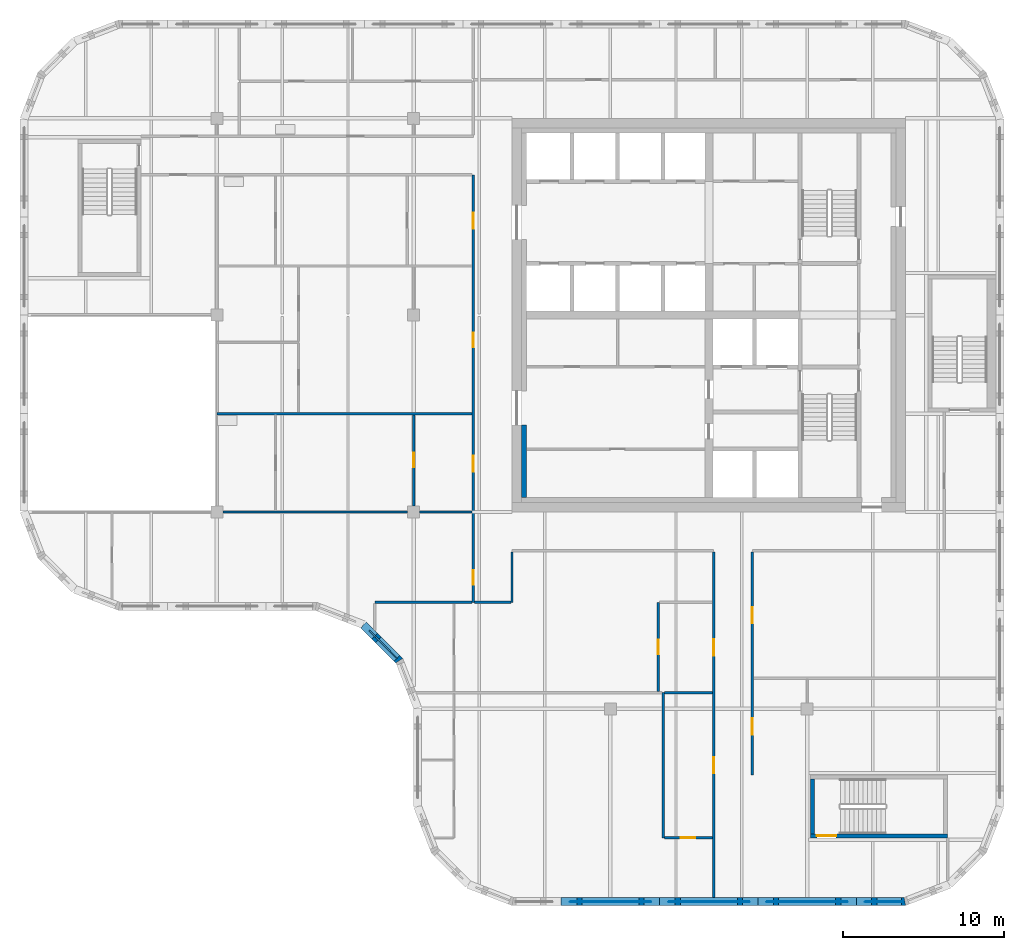
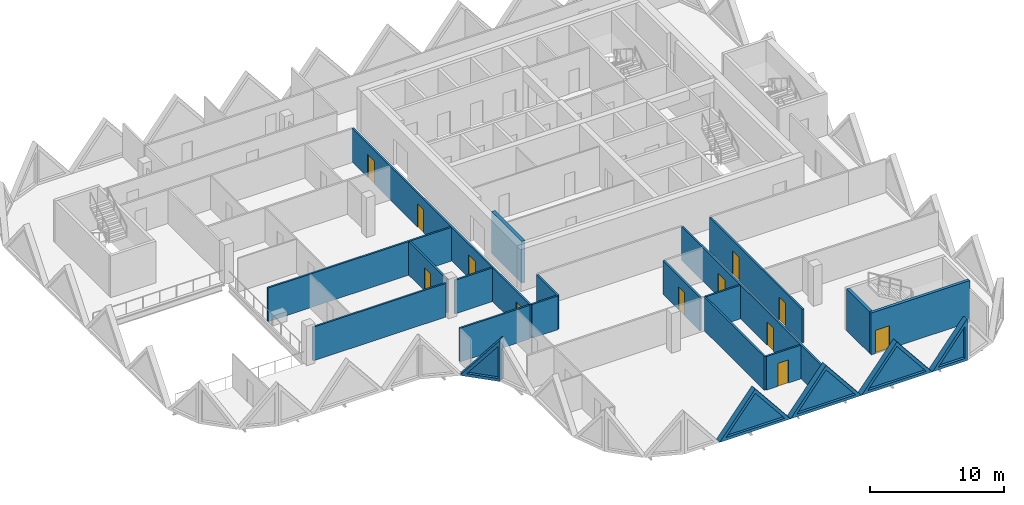
# One storey, part 4 of 12: 22 walls, 12 doors, 5 plates, 17 openings.
"""IFC4 building model written with IfcOpenShell, lengths in metres."""

from ifc_helpers import new_model, si_unit, direction, frame, frame_2d, origin, place, context, subcontext, project, spatial, polyline, rectangle, outline, extrude, faceted_brep, source, transform, mapped, material, layer, layer_set, type_object, element, fill, save


model = new_model("IFC4")

# Units and contexts
model_context = context("Model", 3, precision=1e-05, world=origin(), true_north=direction((0.0, 1.0)))
body_context = subcontext(model_context, "Body", "Model", "MODEL_VIEW")
ifc_project = project(units=[si_unit("LENGTHUNIT", "METRE"), si_unit("AREAUNIT", "SQUARE_METRE"), si_unit("VOLUMEUNIT", "CUBIC_METRE"), si_unit("PLANEANGLEUNIT", "RADIAN"), si_unit("MASSUNIT", "GRAM", prefix="KILO")], contexts=[model_context])

# Site, building, storey
site_placement = place(None, origin())
site = spatial("IfcSite", under=ifc_project, at=site_placement, CompositionType="ELEMENT")
building_placement = place(site_placement, origin())
building = spatial("IfcBuilding", under=site, at=building_placement, Name="Tessera Gate Towers", CompositionType="ELEMENT")
storey_placement = place(building_placement, frame((0.0, 0.0, 155.39990234375)))
storey = spatial("IfcBuildingStorey", under=building, at=storey_placement, Name="L38", CompositionType="ELEMENT", Elevation=155.39990234375)

# Wall, opening, door
ifc_material_1 = material(Name="Concrete C40/50", Category="concrete")
ifc_layer_1 = layer(ifc_material_1, 0.25)
ifc_layer_set_1 = layer_set([ifc_layer_1], Name="CORE ENCLOSURE WALL 250")
wall_type_1 = type_object("IfcWallType", Name="CORE ENCLOSURE WALL 250", PredefinedType="SOLIDWALL", material=ifc_layer_set_1)
wall_1_placement = place(storey_placement, frame((57.5, 4.324951171875, 0.0), z_axis=(0.0, 0.0, 1.0), x_axis=(-1.0, 0.0, 0.0)))
wall_1 = element("IfcWall", 1, at=wall_1_placement, inside=storey, type_object=wall_type_1, Name="L38 ST4 enclosure wall", PredefinedType="SOLIDWALL", context=body_context, shape_type="SweptSolid", body=[
    extrude(rectangle(XDim=8.5, YDim=0.25, at=frame_2d((4.25, 0.0))), origin(), (0.0, 0.0, 1.0), 3.800048828125),
])
shared_shape_1 = source(origin(), body_context, "Body", "SweptSolid", [
    extrude(rectangle(XDim=1.199951171875, YDim=2.10009765625, at=frame_2d((0.60009765625, 1.050048828125))), frame((0.0, 0.135009765625, 0.0), z_axis=(0.0, -1.0, 0.0), x_axis=(1.0, 0.0, 0.0)), (0.0, 0.0, 1.0), 0.27001953125),
])
opening_1_placement = place(wall_1_placement, frame((6.89990234375, 0.0, 0.0)))
opening_1 = element("IfcOpeningElement", 2, at=opening_1_placement, cuts=wall_1, Name="Opening SD-ST4-1", PredefinedType="OPENING", context=body_context, shape_type="MappedRepresentation", body=[
    mapped(shared_shape_1, transform((0.0, 0.0, 0.0), scale=1.0)),
])
ifc_material_2 = material(Name="Hollow steel fire door", Category="steel")
door_type_1 = type_object("IfcDoorType", Name="CORE DOOR SD 1200x2100", OperationType="NOTDEFINED", PredefinedType="DOOR", material=ifc_material_2)
shared_shape_2 = source(origin(), body_context, "Body", "SweptSolid", [
    extrude(rectangle(XDim=1.199951171875, YDim=2.10009765625, at=frame_2d((0.60009765625, 1.050048828125))), frame((0.0, 0.02490234375, 0.0), z_axis=(0.0, -1.0, 0.0), x_axis=(1.0, 0.0, 0.0)), (0.0, 0.0, 1.0), 0.050048828125),
])
door_1_placement = place(opening_1_placement, origin())
door_1 = element("IfcDoor", 3, at=door_1_placement, inside=storey, type_object=door_type_1, Name="Stair door", OperationType="SINGLE_SWING_RIGHT", OverallHeight=2.10009765625, OverallWidth=1.199951171875, PredefinedType="DOOR", context=body_context, shape_type="MappedRepresentation", body=[
    mapped(shared_shape_2, transform((0.0, 0.0, 0.0), scale=1.0)),
])
fill(opening_1, door_1)

# Walls
wall_2_placement = place(storey_placement, frame((49.125, 4.449951171875, 0.0), z_axis=(0.0, 0.0, 1.0), x_axis=(0.0, 1.0, 0.0)))
element("IfcWall", 4, at=wall_2_placement, inside=storey, type_object=wall_type_1, Name="L38 ST4 enclosure wall", PredefinedType="SOLIDWALL", context=body_context, shape_type="SweptSolid", body=[
    extrude(rectangle(XDim=3.400146484375, YDim=0.25, at=frame_2d((1.7001953125, 0.0))), origin(), (0.0, 0.0, 1.0), 3.800048828125),
])
ifc_material_3 = material(Name="Concrete C50/60", Category="concrete")
ifc_layer_2 = layer(ifc_material_3, 0.300048828125)
ifc_layer_set_2 = layer_set([ifc_layer_2], Name="CORE WALL THICKENING 300")
wall_type_2 = type_object("IfcWallType", Name="CORE WALL THICKENING 300", PredefinedType="SOLIDWALL", material=ifc_layer_set_2)
wall_3_placement = place(storey_placement, frame((31.25, 25.300048828125, 0.0), z_axis=(0.0, 0.0, 1.0), x_axis=(0.0, 1.0, 0.0)))
element("IfcWall", 5, at=wall_3_placement, inside=storey, type_object=wall_type_2, Name="Core wall thickening W L38", PredefinedType="SOLIDWALL", context=body_context, shape_type="SweptSolid", body=[
    extrude(rectangle(XDim=4.5, YDim=0.300048828125, at=frame_2d((2.25, 0.0))), origin(), (0.0, 0.0, 1.0), 3.800048828125),
])

# Wall, openings, doors
ifc_material_4 = material(Name="Gypsum board on steel studs, mineral wool", Category="steel")
ifc_layer_3 = layer(ifc_material_4, 0.14990234375)
ifc_layer_set_3 = layer_set([ifc_layer_3], Name="CORRIDOR WALL 150")
wall_type_3 = type_object("IfcWallType", Name="CORRIDOR WALL 150", PredefinedType="PARTITIONING", material=ifc_layer_set_3)
wall_4_placement = place(storey_placement, frame((43.0, 0.5, 0.0), z_axis=(0.0, 0.0, 1.0), x_axis=(0.0, 1.0, 0.0)))
wall_4 = element("IfcWall", 6, at=wall_4_placement, inside=storey, type_object=wall_type_3, Name="T1-L38-PW-001", PredefinedType="PARTITIONING", context=body_context, shape_type="SweptSolid", body=[
    extrude(rectangle(XDim=21.424072265625, YDim=0.14990234375, at=frame_2d((10.7119140625, 0.0))), origin(), (0.0, 0.0, 1.0), 3.067138671875),
])
shared_shape_3 = source(origin(), body_context, "Body", "SweptSolid", [
    extrude(rectangle(XDim=1.0, YDim=2.10009765625, at=frame_2d((0.5, 1.050048828125))), frame((0.0, 0.0849609375, 0.0), z_axis=(0.0, -1.0, 0.0), x_axis=(1.0, 0.0, 0.0)), (0.0, 0.0, 1.0), 0.169921875),
])
opening_2_placement = place(wall_4_placement, frame((15.0009765625, 0.0, 0.0)))
opening_2 = element("IfcOpeningElement", 7, at=opening_2_placement, cuts=wall_4, Name="Opening D2100FD60-A14-02", PredefinedType="OPENING", context=body_context, shape_type="MappedRepresentation", body=[
    mapped(shared_shape_3, transform((0.0, 0.0, 0.0), scale=1.0)),
])
opening_3_placement = place(wall_4_placement, frame((7.699951171875, 0.0, 0.0)))
opening_3 = element("IfcOpeningElement", 8, at=opening_3_placement, cuts=wall_4, Name="Opening D2100FD60-A14-08", PredefinedType="OPENING", context=body_context, shape_type="MappedRepresentation", body=[
    mapped(shared_shape_3, transform((0.0, 0.0, 0.0), scale=1.0)),
])
ifc_material_5 = material(Name="Timber door leaf in steel frame", Category="steel")
door_type_2 = type_object("IfcDoorType", Name="TENANCY ENTRANCE DOOR 1000 FD60", OperationType="NOTDEFINED", PredefinedType="DOOR", material=ifc_material_5)
shared_shape_4 = source(origin(), body_context, "Body", "SweptSolid", [
    extrude(rectangle(XDim=1.0, YDim=2.10009765625, at=frame_2d((0.5, 1.050048828125))), frame((0.0, 0.02490234375, 0.0), z_axis=(0.0, -1.0, 0.0), x_axis=(1.0, 0.0, 0.0)), (0.0, 0.0, 1.0), 0.050048828125),
])
door_2_placement = place(opening_2_placement, origin())
door_2 = element("IfcDoor", 9, at=door_2_placement, inside=storey, type_object=door_type_2, Name="T1-L38-PD-010", OperationType="SINGLE_SWING_LEFT", OverallHeight=2.10009765625, OverallWidth=1.0, PredefinedType="DOOR", context=body_context, shape_type="MappedRepresentation", body=[
    mapped(shared_shape_4, transform((0.0, 0.0, 0.0), scale=1.0)),
])
fill(opening_2, door_2)
door_3_placement = place(opening_3_placement, origin())
door_3 = element("IfcDoor", 10, at=door_3_placement, inside=storey, type_object=door_type_2, Name="T1-L38-PD-023", OperationType="SINGLE_SWING_LEFT", OverallHeight=2.10009765625, OverallWidth=1.0, PredefinedType="DOOR", context=body_context, shape_type="MappedRepresentation", body=[
    mapped(shared_shape_4, transform((0.0, 0.0, 0.0), scale=1.0)),
])
fill(opening_3, door_3)

wall_5_placement = place(storey_placement, frame((45.39990234375, 21.924072265625, 0.0), z_axis=(0.0, 0.0, 1.0), x_axis=(0.0, -1.0, 0.0)))
wall_5 = element("IfcWall", 11, at=wall_5_placement, inside=storey, type_object=wall_type_3, Name="T1-L38-PW-007", PredefinedType="PARTITIONING", context=body_context, shape_type="SweptSolid", body=[
    extrude(rectangle(XDim=13.823974609375, YDim=0.14990234375, at=frame_2d((6.912109375, 0.0))), origin(), (0.0, 0.0, 1.0), 3.067138671875),
])
opening_4_placement = place(wall_5_placement, frame((10.323974609375, 0.0, 0.0)))
opening_4 = element("IfcOpeningElement", 12, at=opening_4_placement, cuts=wall_5, Name="Opening D2100FD60-A14-04", PredefinedType="OPENING", context=body_context, shape_type="MappedRepresentation", body=[
    mapped(shared_shape_3, transform((0.0, 0.0, 0.0), scale=1.0)),
])
opening_5_placement = place(wall_5_placement, frame((3.424072265625, 0.0, 0.0)))
opening_5 = element("IfcOpeningElement", 13, at=opening_5_placement, cuts=wall_5, Name="Opening D2100FD60-A14-07", PredefinedType="OPENING", context=body_context, shape_type="MappedRepresentation", body=[
    mapped(shared_shape_3, transform((0.0, 0.0, 0.0), scale=1.0)),
])
door_4_placement = place(opening_4_placement, origin())
door_4 = element("IfcDoor", 14, at=door_4_placement, inside=storey, type_object=door_type_2, Name="T1-L38-PD-015", OperationType="SINGLE_SWING_RIGHT", OverallHeight=2.10009765625, OverallWidth=1.0, PredefinedType="DOOR", context=body_context, shape_type="MappedRepresentation", body=[
    mapped(shared_shape_4, transform((0.0, 0.0, 0.0), scale=1.0)),
])
fill(opening_4, door_4)
door_5_placement = place(opening_5_placement, origin())
door_5 = element("IfcDoor", 15, at=door_5_placement, inside=storey, type_object=door_type_2, Name="T1-L38-PD-020", OperationType="SINGLE_SWING_RIGHT", OverallHeight=2.10009765625, OverallWidth=1.0, PredefinedType="DOOR", context=body_context, shape_type="MappedRepresentation", body=[
    mapped(shared_shape_4, transform((0.0, 0.0, 0.0), scale=1.0)),
])
fill(opening_5, door_5)

wall_6_placement = place(storey_placement, frame((28.10009765625, 18.800048828125, 0.0), z_axis=(0.0, 0.0, 1.0), x_axis=(0.0, 1.0, 0.0)))
wall_6 = element("IfcWall", 16, at=wall_6_placement, inside=storey, type_object=wall_type_3, Name="T1-L38-PW-017", PredefinedType="PARTITIONING", context=body_context, shape_type="SweptSolid", body=[
    extrude(rectangle(XDim=26.5, YDim=0.14990234375, at=frame_2d((13.25, 0.0))), origin(), (0.0, 0.0, 1.0), 3.067138671875),
])
shared_shape_5 = source(origin(), body_context, "Body", "SweptSolid", [
    extrude(rectangle(XDim=0.89990234375, YDim=2.10009765625, at=frame_2d((0.449951171875, 1.050048828125))), frame((0.0, 0.0849609375, 0.0), z_axis=(0.0, -1.0, 0.0), x_axis=(1.0, 0.0, 0.0)), (0.0, 0.0, 1.0), 0.169921875),
])
opening_6_placement = place(wall_6_placement, frame((1.10009765625, 0.0, 0.0)))
opening_6 = element("IfcOpeningElement", 17, at=opening_6_placement, cuts=wall_6, Name="Opening D890FD60-A14-01", PredefinedType="OPENING", context=body_context, shape_type="MappedRepresentation", body=[
    mapped(shared_shape_5, transform((0.0, 0.0, 0.0), scale=1.0)),
])
opening_7_placement = place(wall_6_placement, frame((23.15087890625, 0.0, 0.0)))
opening_7 = element("IfcOpeningElement", 18, at=opening_7_placement, cuts=wall_6, Name="Opening D2100FD60-A14-03", PredefinedType="OPENING", context=body_context, shape_type="MappedRepresentation", body=[
    mapped(shared_shape_3, transform((0.0, 0.0, 0.0), scale=1.0)),
])
opening_8_placement = place(wall_6_placement, frame((8.10009765625, 0.0, 0.0)))
opening_8 = element("IfcOpeningElement", 19, at=opening_8_placement, cuts=wall_6, Name="Opening D2100FD60-A14-06", PredefinedType="OPENING", context=body_context, shape_type="MappedRepresentation", body=[
    mapped(shared_shape_3, transform((0.0, 0.0, 0.0), scale=1.0)),
])
opening_9_placement = place(wall_6_placement, frame((15.800048828125, 0.0, 0.0)))
opening_9 = element("IfcOpeningElement", 20, at=opening_9_placement, cuts=wall_6, Name="Opening D890FD60-A14-03", PredefinedType="OPENING", context=body_context, shape_type="MappedRepresentation", body=[
    mapped(shared_shape_5, transform((0.0, 0.0, 0.0), scale=1.0)),
])
ifc_material_6 = material(Name="Timber door leaf in steel frame", Category="steel")
door_type_3 = type_object("IfcDoorType", Name="CORRIDOR DOOR 900 FD60", OperationType="NOTDEFINED", PredefinedType="DOOR", material=ifc_material_6)
shared_shape_6 = source(origin(), body_context, "Body", "SweptSolid", [
    extrude(rectangle(XDim=0.89990234375, YDim=2.10009765625, at=frame_2d((0.449951171875, 1.050048828125))), frame((0.0, 0.02490234375, 0.0), z_axis=(0.0, -1.0, 0.0), x_axis=(1.0, 0.0, 0.0)), (0.0, 0.0, 1.0), 0.050048828125),
])
door_6_placement = place(opening_6_placement, origin())
door_6 = element("IfcDoor", 21, at=door_6_placement, inside=storey, type_object=door_type_3, Name="T1-L38-PD-001", OperationType="SINGLE_SWING_LEFT", OverallHeight=2.10009765625, OverallWidth=0.89990234375, PredefinedType="DOOR", context=body_context, shape_type="MappedRepresentation", body=[
    mapped(shared_shape_6, transform((0.0, 0.0, 0.0), scale=1.0)),
])
fill(opening_6, door_6)
door_7_placement = place(opening_9_placement, origin())
door_7 = element("IfcDoor", 22, at=door_7_placement, inside=storey, type_object=door_type_3, Name="T1-L38-PD-024", OperationType="SINGLE_SWING_LEFT", OverallHeight=2.10009765625, OverallWidth=0.89990234375, PredefinedType="DOOR", context=body_context, shape_type="MappedRepresentation", body=[
    mapped(shared_shape_6, transform((0.0, 0.0, 0.0), scale=1.0)),
])
fill(opening_9, door_7)
door_8_placement = place(opening_7_placement, origin())
door_8 = element("IfcDoor", 23, at=door_8_placement, inside=storey, type_object=door_type_2, Name="T1-L38-PD-012", OperationType="SINGLE_SWING_LEFT", OverallHeight=2.10009765625, OverallWidth=1.0, PredefinedType="DOOR", context=body_context, shape_type="MappedRepresentation", body=[
    mapped(shared_shape_4, transform((0.0, 0.0, 0.0), scale=1.0)),
])
fill(opening_7, door_8)
door_9_placement = place(opening_8_placement, origin())
door_9 = element("IfcDoor", 24, at=door_9_placement, inside=storey, type_object=door_type_2, Name="T1-L38-PD-017", OperationType="SINGLE_SWING_LEFT", OverallHeight=2.10009765625, OverallWidth=1.0, PredefinedType="DOOR", context=body_context, shape_type="MappedRepresentation", body=[
    mapped(shared_shape_4, transform((0.0, 0.0, 0.0), scale=1.0)),
])
fill(opening_8, door_9)

# Walls
wall_7_placement = place(storey_placement, frame((28.176025390625, 18.800048828125, 0.0), z_axis=(0.0, 0.0, 1.0), x_axis=(1.0, 0.0, 0.0)))
element("IfcWall", 25, at=wall_7_placement, inside=storey, type_object=wall_type_3, Name="T1-L38-PW-018", PredefinedType="PARTITIONING", context=body_context, shape_type="SweptSolid", body=[
    extrude(rectangle(XDim=2.248046875, YDim=0.14990234375, at=frame_2d((1.1240234375, 0.0))), origin(), (0.0, 0.0, 1.0), 3.067138671875),
])
wall_8_placement = place(storey_placement, frame((30.5, 18.800048828125, 0.0), z_axis=(0.0, 0.0, 1.0), x_axis=(0.0, 1.0, 0.0)))
element("IfcWall", 26, at=wall_8_placement, inside=storey, type_object=wall_type_3, Name="T1-L38-PW-019", PredefinedType="PARTITIONING", context=body_context, shape_type="SweptSolid", body=[
    extrude(rectangle(XDim=3.1240234375, YDim=0.14990234375, at=frame_2d((1.56201171875, 0.0))), origin(), (0.0, 0.0, 1.0), 3.067138671875),
])
ifc_material_7 = material(Name="Gypsum board on steel studs, mineral wool", Category="steel")
ifc_layer_4 = layer(ifc_material_7, 0.14990234375)
ifc_layer_set_4 = layer_set([ifc_layer_4], Name="TENANCY WALL 150")
wall_type_4 = type_object("IfcWallType", Name="TENANCY WALL 150", PredefinedType="PARTITIONING", material=ifc_layer_set_4)
wall_9_placement = place(storey_placement, frame((39.875, 4.199951171875, 0.0), z_axis=(0.0, 0.0, 1.0), x_axis=(0.0, 1.0, 0.0)))
element("IfcWall", 27, at=wall_9_placement, inside=storey, type_object=wall_type_4, Name="T1-L38-PW-005", PredefinedType="PARTITIONING", context=body_context, shape_type="SweptSolid", body=[
    extrude(rectangle(XDim=9.0, YDim=0.14990234375, at=frame_2d((4.5, 0.0))), origin(), (0.0, 0.0, 1.0), 3.067138671875),
])

# Wall, opening, door
wall_10_placement = place(storey_placement, frame((42.924072265625, 4.199951171875, 0.0), z_axis=(0.0, 0.0, 1.0), x_axis=(-1.0, 0.0, 0.0)))
wall_10 = element("IfcWall", 28, at=wall_10_placement, inside=storey, type_object=wall_type_4, Name="T1-L38-PW-006", PredefinedType="PARTITIONING", context=body_context, shape_type="SweptSolid", body=[
    extrude(rectangle(XDim=2.97314453125, YDim=0.14990234375, at=frame_2d((1.486572265625, 0.0))), origin(), (0.0, 0.0, 1.0), 3.067138671875),
])
opening_10_placement = place(wall_10_placement, frame((1.072998046875, 0.0, 0.0)))
opening_10 = element("IfcOpeningElement", 29, at=opening_10_placement, cuts=wall_10, Name="Opening D190-A14-13", PredefinedType="OPENING", context=body_context, shape_type="MappedRepresentation", body=[
    mapped(shared_shape_5, transform((0.0, 0.0, 0.0), scale=1.0)),
])
ifc_material_8 = material(Name="Timber door leaf in steel frame", Category="steel")
door_type_4 = type_object("IfcDoorType", Name="INTERNAL DOOR 900 NOT RATED", OperationType="NOTDEFINED", PredefinedType="DOOR", material=ifc_material_8)
door_10_placement = place(opening_10_placement, origin())
door_10 = element("IfcDoor", 30, at=door_10_placement, inside=storey, type_object=door_type_4, Name="T1-L38-PD-025", OperationType="SINGLE_SWING_RIGHT", OverallHeight=2.10009765625, OverallWidth=0.89990234375, PredefinedType="DOOR", context=body_context, shape_type="MappedRepresentation", body=[
    mapped(shared_shape_6, transform((0.0, 0.0, 0.0), scale=1.0)),
])
fill(opening_10, door_10)

# Wall
wall_11_placement = place(storey_placement, frame((39.950927734375, 13.199951171875, 0.0), z_axis=(0.0, 0.0, 1.0), x_axis=(1.0, 0.0, 0.0)))
element("IfcWall", 31, at=wall_11_placement, inside=storey, type_object=wall_type_4, Name="T1-L38-PW-011", PredefinedType="PARTITIONING", context=body_context, shape_type="SweptSolid", body=[
    extrude(rectangle(XDim=2.97314453125, YDim=0.14990234375, at=frame_2d((1.486572265625, 0.0))), origin(), (0.0, 0.0, 1.0), 3.067138671875),
])

# Wall, opening, door
wall_12_placement = place(storey_placement, frame((39.574951171875, 13.27587890625, 0.0), z_axis=(0.0, 0.0, 1.0), x_axis=(0.0, 1.0, 0.0)))
wall_12 = element("IfcWall", 32, at=wall_12_placement, inside=storey, type_object=wall_type_4, Name="T1-L38-PW-013", PredefinedType="PARTITIONING", context=body_context, shape_type="SweptSolid", body=[
    extrude(rectangle(XDim=5.524169921875, YDim=0.14990234375, at=frame_2d((2.76220703125, 0.0))), origin(), (0.0, 0.0, 1.0), 3.067138671875),
])
opening_11_placement = place(wall_12_placement, frame((2.300048828125, 0.0, 0.0)))
opening_11 = element("IfcOpeningElement", 33, at=opening_11_placement, cuts=wall_12, Name="Opening D190-A14-12", PredefinedType="OPENING", context=body_context, shape_type="MappedRepresentation", body=[
    mapped(shared_shape_5, transform((0.0, 0.0, 0.0), scale=1.0)),
])
door_11_placement = place(opening_11_placement, origin())
door_11 = element("IfcDoor", 34, at=door_11_placement, inside=storey, type_object=door_type_4, Name="T1-L38-PD-022", OperationType="SINGLE_SWING_LEFT", OverallHeight=2.10009765625, OverallWidth=0.89990234375, PredefinedType="DOOR", context=body_context, shape_type="MappedRepresentation", body=[
    mapped(shared_shape_6, transform((0.0, 0.0, 0.0), scale=1.0)),
])
fill(opening_11, door_11)

# Walls
wall_13_placement = place(storey_placement, frame((22.0, 18.800048828125, 0.0), z_axis=(0.0, 0.0, 1.0), x_axis=(1.0, 0.0, 0.0)))
element("IfcWall", 35, at=wall_13_placement, inside=storey, type_object=wall_type_4, Name="T1-L38-PW-016", PredefinedType="PARTITIONING", context=body_context, shape_type="SweptSolid", body=[
    extrude(rectangle(XDim=6.02392578125, YDim=0.14990234375, at=frame_2d((3.011962890625, 0.0))), origin(), (0.0, 0.0, 1.0), 3.067138671875),
])
wall_14_placement = place(storey_placement, frame((12.575927734375, 24.39990234375, 0.0), z_axis=(0.0, 0.0, 1.0), x_axis=(1.0, 0.0, 0.0)))
element("IfcWall", 36, at=wall_14_placement, inside=storey, type_object=wall_type_4, Name="T1-L38-PW-026", PredefinedType="PARTITIONING", context=body_context, shape_type="SweptSolid", body=[
    extrude(rectangle(XDim=11.447998046875, YDim=0.14990234375, at=frame_2d((5.72412109375, 0.0))), origin(), (0.0, 0.0, 1.0), 3.067138671875),
])
wall_15_placement = place(storey_placement, frame((24.77587890625, 24.39990234375, 0.0), z_axis=(0.0, 0.0, 1.0), x_axis=(1.0, 0.0, 0.0)))
element("IfcWall", 37, at=wall_15_placement, inside=storey, type_object=wall_type_4, Name="T1-L38-PW-027", PredefinedType="PARTITIONING", context=body_context, shape_type="SweptSolid", body=[
    extrude(rectangle(XDim=3.248046875, YDim=0.14990234375, at=frame_2d((1.6240234375, 0.0))), origin(), (0.0, 0.0, 1.0), 3.067138671875),
])

# Wall, opening, door
wall_16_placement = place(storey_placement, frame((24.39990234375, 24.77587890625, 0.0), z_axis=(0.0, 0.0, 1.0), x_axis=(0.0, 1.0, 0.0)))
wall_16 = element("IfcWall", 38, at=wall_16_placement, inside=storey, type_object=wall_type_4, Name="T1-L38-PW-029", PredefinedType="PARTITIONING", context=body_context, shape_type="SweptSolid", body=[
    extrude(rectangle(XDim=5.648193359375, YDim=0.14990234375, at=frame_2d((2.82421875, 0.0))), origin(), (0.0, 0.0, 1.0), 3.067138671875),
])
opening_12_placement = place(wall_16_placement, frame((2.39990234375, 0.0, 0.0)))
opening_12 = element("IfcOpeningElement", 39, at=opening_12_placement, cuts=wall_16, Name="Opening D190-A14-07", PredefinedType="OPENING", context=body_context, shape_type="MappedRepresentation", body=[
    mapped(shared_shape_5, transform((0.0, 0.0, 0.0), scale=1.0)),
])
door_12_placement = place(opening_12_placement, origin())
door_12 = element("IfcDoor", 40, at=door_12_placement, inside=storey, type_object=door_type_4, Name="T1-L38-PD-011", OperationType="SINGLE_SWING_LEFT", OverallHeight=2.10009765625, OverallWidth=0.89990234375, PredefinedType="DOOR", context=body_context, shape_type="MappedRepresentation", body=[
    mapped(shared_shape_6, transform((0.0, 0.0, 0.0), scale=1.0)),
])
fill(opening_12, door_12)

# Wall
wall_17_placement = place(storey_placement, frame((12.199951171875, 30.5, 0.0), z_axis=(0.0, 0.0, 1.0), x_axis=(1.0, 0.0, 0.0)))
element("IfcWall", 41, at=wall_17_placement, inside=storey, type_object=wall_type_4, Name="T1-L38-PW-030", PredefinedType="PARTITIONING", context=body_context, shape_type="SweptSolid", body=[
    extrude(rectangle(XDim=15.823974609375, YDim=0.14990234375, at=frame_2d((7.912109375, 0.0))), origin(), (0.0, 0.0, 1.0), 3.067138671875),
])

# Wall, opening, plate
ifc_material_9 = material(Name="Precast concrete C60/75 white", Category="concrete")
ifc_layer_5 = layer(ifc_material_9, 0.5)
ifc_layer_set_5 = layer_set([ifc_layer_5], Name="TS2 half tessera")
wall_type_5 = type_object("IfcWallType", Name="TS2 half tessera", PredefinedType="SOLIDWALL", material=ifc_layer_set_5)
shared_shape_7 = source(origin(), body_context, "Body", "Brep", [
    faceted_brep([(6.099853515625, -0.25, 0.000244140625), (3.050048828125, -0.25, 3.800048828125), (0.0, -0.25, 0.0), (6.099853515625, -0.25, 0.0), (0.0, 0.25, 0.0), (3.050048828125, 0.25, 3.800048828125), (6.099853515625, 0.25, 0.000244140625), (6.099853515625, 0.25, 0.0)], [[[0, 1, 2, 3]], [[4, 5, 6, 7]], [[6, 5, 1, 0]], [[5, 4, 2, 1]], [[4, 7, 3, 2]], [[3, 7, 6, 0]]]),
])
wall_18_placement = place(storey_placement, frame((33.550048828125, 0.25, 0.0), z_axis=(0.0, 0.0, 1.0), x_axis=(1.0, 0.0, 0.0)))
wall_18 = element("IfcWall", 42, at=wall_18_placement, inside=storey, type_object=wall_type_5, Name="Precast half tessera T1 TS2-0184", PredefinedType="SOLIDWALL", context=body_context, shape_type="MappedRepresentation", body=[
    mapped(shared_shape_7, transform((0.0, 0.0, 0.0), scale=1.0)),
])
shared_shape_8 = source(origin(), body_context, "Body", "SweptSolid", [
    extrude(outline(polyline([(5.578857421875, 0.25), (3.050048828125, 3.400634765625), (0.521240234375, 0.25), (5.578857421875, 0.25)])), frame((0.0, 0.260009765625, 0.0), z_axis=(0.0, -1.0, 0.0), x_axis=(1.0, 0.0, 0.0)), (0.0, 0.0, 1.0), 0.52001953125),
])
opening_13_placement = place(wall_18_placement, origin())
opening_13 = element("IfcOpeningElement", 43, at=opening_13_placement, cuts=wall_18, Name="Opening T1-PL1-0378", PredefinedType="OPENING", context=body_context, shape_type="MappedRepresentation", body=[
    mapped(shared_shape_8, transform((0.0, 0.0, 0.0), scale=1.0)),
])
ifc_material_10 = material(Name="Low-e laminated glass", Category="glass")
ifc_layer_6 = layer(ifc_material_10, 0.06005859375)
ifc_layer_set_6 = layer_set([ifc_layer_6], Name="PL1 triangular pane")
plate_type = type_object("IfcPlateType", Name="PL1 triangular pane", PredefinedType="SHEET", material=ifc_layer_set_6)
shared_shape_9 = source(origin(), body_context, "Body", "SweptSolid", [
    extrude(outline(polyline([(5.578857421875, 0.25), (3.050048828125, 3.400634765625), (0.521240234375, 0.25), (5.578857421875, 0.25)])), frame((0.0, 0.030029296875, 0.0), z_axis=(0.0, -1.0, 0.0), x_axis=(1.0, 0.0, 0.0)), (0.0, 0.0, 1.0), 0.06005859375),
])
plate_1_placement = place(opening_13_placement, origin())
plate_1 = element("IfcPlate", 44, at=plate_1_placement, inside=storey, type_object=plate_type, Name="Glass pane T1 PL1-0378", PredefinedType="SHEET", context=body_context, shape_type="MappedRepresentation", body=[
    mapped(shared_shape_9, transform((0.0, 0.0, 0.0), scale=1.0)),
])
fill(opening_13, plate_1)

shared_shape_10 = source(origin(), body_context, "Body", "SweptSolid", [
    extrude(outline(polyline([(6.10009765625, 0.0), (3.050048828125, 3.800048828125), (0.0, 0.0), (6.10009765625, 0.0)])), frame((0.0, 0.25, 0.0), z_axis=(0.0, -1.0, 0.0), x_axis=(1.0, 0.0, 0.0)), (0.0, 0.0, 1.0), 0.5),
])
wall_19_placement = place(storey_placement, frame((39.64990234375, 0.25, 0.0), z_axis=(0.0, 0.0, 1.0), x_axis=(1.0, 0.0, 0.0)))
wall_19 = element("IfcWall", 45, at=wall_19_placement, inside=storey, type_object=wall_type_5, Name="Precast half tessera T1 TS2-0185", PredefinedType="SOLIDWALL", context=body_context, shape_type="MappedRepresentation", body=[
    mapped(shared_shape_10, transform((0.0, 0.0, 0.0), scale=1.0)),
])
opening_14_placement = place(wall_19_placement, origin())
opening_14 = element("IfcOpeningElement", 46, at=opening_14_placement, cuts=wall_19, Name="Opening T1-PL1-0379", PredefinedType="OPENING", context=body_context, shape_type="MappedRepresentation", body=[
    mapped(shared_shape_8, transform((0.0, 0.0, 0.0), scale=1.0)),
])
plate_2_placement = place(opening_14_placement, origin())
plate_2 = element("IfcPlate", 47, at=plate_2_placement, inside=storey, type_object=plate_type, Name="Glass pane T1 PL1-0379", PredefinedType="SHEET", context=body_context, shape_type="MappedRepresentation", body=[
    mapped(shared_shape_9, transform((0.0, 0.0, 0.0), scale=1.0)),
])
fill(opening_14, plate_2)

wall_20_placement = place(storey_placement, frame((45.75, 0.25, 0.0), z_axis=(0.0, 0.0, 1.0), x_axis=(1.0, 0.0, 0.0)))
wall_20 = element("IfcWall", 48, at=wall_20_placement, inside=storey, type_object=wall_type_5, Name="Precast half tessera T1 TS2-0186", PredefinedType="SOLIDWALL", context=body_context, shape_type="MappedRepresentation", body=[
    mapped(shared_shape_10, transform((0.0, 0.0, 0.0), scale=1.0)),
])
opening_15_placement = place(wall_20_placement, origin())
opening_15 = element("IfcOpeningElement", 49, at=opening_15_placement, cuts=wall_20, Name="Opening T1-PL1-0380", PredefinedType="OPENING", context=body_context, shape_type="MappedRepresentation", body=[
    mapped(shared_shape_8, transform((0.0, 0.0, 0.0), scale=1.0)),
])
plate_3_placement = place(opening_15_placement, origin())
plate_3 = element("IfcPlate", 50, at=plate_3_placement, inside=storey, type_object=plate_type, Name="Glass pane T1 PL1-0380", PredefinedType="SHEET", context=body_context, shape_type="MappedRepresentation", body=[
    mapped(shared_shape_9, transform((0.0, 0.0, 0.0), scale=1.0)),
])
fill(opening_15, plate_3)

ifc_material_11 = material(Name="Precast concrete C60/75 white", Category="concrete")
ifc_layer_7 = layer(ifc_material_11, 0.5)
ifc_layer_set_7 = layer_set([ifc_layer_7], Name="TS3 corner tessera")
wall_type_6 = type_object("IfcWallType", Name="TS3 corner tessera", PredefinedType="SOLIDWALL", material=ifc_layer_set_7)
shared_shape_11 = source(origin(), body_context, "Body", "Brep", [
    faceted_brep([(3.050048828125, -0.25, 3.739990234375), (3.00341796875, -0.25, 3.800048828125), (0.0, -0.25, 0.0), (3.050048828125, -0.25, 0.0), (0.0, 0.25, 0.0), (2.956787109375, 0.25, 3.7412109375), (2.956787109375, 0.25, 0.0), (3.00341796875, 0.000244140625, 3.800048828125)], [[[0, 1, 2, 3]], [[4, 5, 6]], [[7, 1, 0]], [[5, 4, 2, 1, 7]], [[4, 6, 3, 2]], [[3, 6, 5, 7, 0]]]),
])
wall_21_placement = place(storey_placement, frame((51.85009765625, 0.25, 0.0), z_axis=(0.0, 0.0, 1.0), x_axis=(1.0, 0.0, 0.0)))
wall_21 = element("IfcWall", 51, at=wall_21_placement, inside=storey, type_object=wall_type_6, Name="Precast corner tessera T1 TS3-0867", PredefinedType="SOLIDWALL", context=body_context, shape_type="MappedRepresentation", body=[
    mapped(shared_shape_11, transform((0.0, 0.0, 0.0), scale=1.0)),
])
shared_shape_12 = source(origin(), body_context, "Body", "SweptSolid", [
    extrude(outline(polyline([(2.803466796875, 3.143798828125), (0.516357421875, 0.25), (2.803466796875, 0.25), (2.803466796875, 3.143798828125)])), frame((0.0, 0.260009765625, 0.0), z_axis=(0.0, -1.0, 0.0), x_axis=(1.0, 0.0, 0.0)), (0.0, 0.0, 1.0), 0.52001953125),
])
opening_16_placement = place(wall_21_placement, origin())
opening_16 = element("IfcOpeningElement", 52, at=opening_16_placement, cuts=wall_21, Name="Opening T1-PL1-0381", PredefinedType="OPENING", context=body_context, shape_type="MappedRepresentation", body=[
    mapped(shared_shape_12, transform((0.0, 0.0, 0.0), scale=1.0)),
])
shared_shape_13 = source(origin(), body_context, "Body", "SweptSolid", [
    extrude(outline(polyline([(2.803466796875, 3.143798828125), (0.516357421875, 0.25), (2.803466796875, 0.25), (2.803466796875, 3.143798828125)])), frame((0.0, 0.030029296875, 0.0), z_axis=(0.0, -1.0, 0.0), x_axis=(1.0, 0.0, 0.0)), (0.0, 0.0, 1.0), 0.06005859375),
])
plate_4_placement = place(opening_16_placement, origin())
plate_4 = element("IfcPlate", 53, at=plate_4_placement, inside=storey, type_object=plate_type, Name="Glass pane T1 PL1-0381", PredefinedType="SHEET", context=body_context, shape_type="MappedRepresentation", body=[
    mapped(shared_shape_13, transform((0.0, 0.0, 0.0), scale=1.0)),
])
fill(opening_16, plate_4)

shared_shape_14 = source(origin(), body_context, "Body", "Brep", [
    faceted_brep([(3.10302734375, -0.25, 3.736328125), (0.052978515625, -0.25, 0.063720703125), (0.052978515625, -0.25, 0.0), (3.10302734375, -0.25, 0.0), (0.0, 0.25, 0.0), (3.15576171875, 0.25, 3.800048828125), (3.208740234375, 0.25, 3.736083984375), (3.208740234375, 0.25, 0.0), (3.15576171875, -0.00048828125, 3.800048828125), (0.0, 0.0, 0.0)], [[[0, 1, 2, 3]], [[4, 5, 6, 7]], [[6, 5, 8]], [[5, 4, 9, 1, 0, 8]], [[4, 7, 3, 2, 9]], [[9, 2, 1]], [[3, 7, 6, 8, 0]]]),
])
wall_22_placement = place(storey_placement, frame((21.284912109375, 17.41650390625, 0.0), z_axis=(0.0, 0.0, 1.0), x_axis=(0.707106781187, -0.707106781187, 0.0)))
wall_22 = element("IfcWall", 54, at=wall_22_placement, inside=storey, type_object=wall_type_6, Name="Precast corner tessera T1 TS3-0885", PredefinedType="SOLIDWALL", context=body_context, shape_type="MappedRepresentation", body=[
    mapped(shared_shape_14, transform((0.0, 0.0, 0.0), scale=1.0)),
])
shared_shape_15 = source(origin(), body_context, "Body", "SweptSolid", [
    extrude(outline(polyline([(2.955810546875, 3.16796875), (0.53271484375, 0.25), (2.955810546875, 0.25), (2.955810546875, 3.16796875)])), frame((0.0, 0.260009765625, 0.0), z_axis=(0.0, -1.0, 0.0), x_axis=(1.0, 0.0, 0.0)), (0.0, 0.0, 1.0), 0.52001953125),
])
opening_17_placement = place(wall_22_placement, origin())
opening_17 = element("IfcOpeningElement", 55, at=opening_17_placement, cuts=wall_22, Name="Opening T1-PL1-0418", PredefinedType="OPENING", context=body_context, shape_type="MappedRepresentation", body=[
    mapped(shared_shape_15, transform((0.0, 0.0, 0.0), scale=1.0)),
])
shared_shape_16 = source(origin(), body_context, "Body", "SweptSolid", [
    extrude(outline(polyline([(2.955810546875, 3.16796875), (0.53271484375, 0.25), (2.955810546875, 0.25), (2.955810546875, 3.16796875)])), frame((0.0, 0.030029296875, 0.0), z_axis=(0.0, -1.0, 0.0), x_axis=(1.0, 0.0, 0.0)), (0.0, 0.0, 1.0), 0.06005859375),
])
plate_5_placement = place(opening_17_placement, origin())
plate_5 = element("IfcPlate", 56, at=plate_5_placement, inside=storey, type_object=plate_type, Name="Glass pane T1 PL1-0418", PredefinedType="SHEET", context=body_context, shape_type="MappedRepresentation", body=[
    mapped(shared_shape_16, transform((0.0, 0.0, 0.0), scale=1.0)),
])
fill(opening_17, plate_5)

save(model, "model.ifc")
